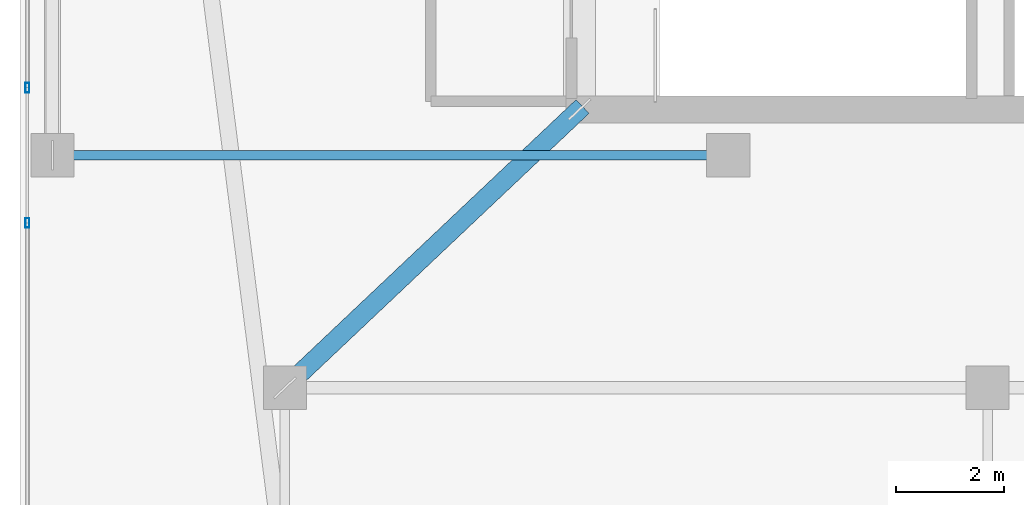
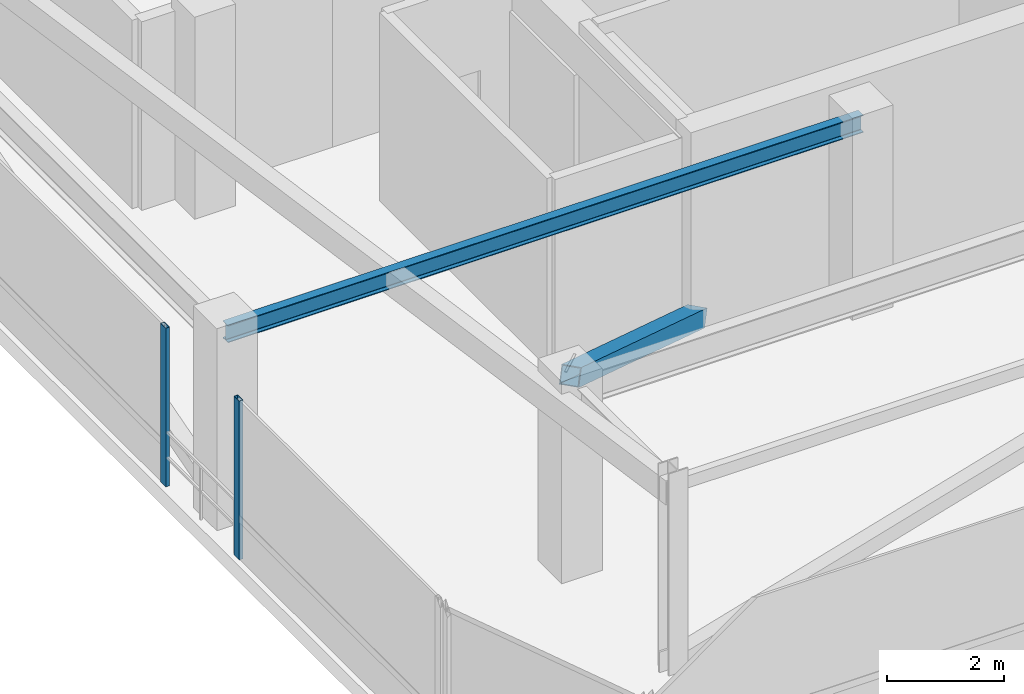
# One storey, part 7 of 47: 3 members, 1 beam, 2 elements without a shape of their own.
"""IFC4 building model written with IfcOpenShell, lengths in metres."""

from ifc_helpers import new_model, si_unit, direction, frame, origin, origin_2d, place, context, subcontext, project, spatial, hollow_rectangle, i_section, extrude, material, material_profile, profile_set, type_object, element, aggregate, save


model = new_model("IFC4")

# Units and contexts
model_context = context("Model", 3, precision=1e-05, world=origin(), true_north=direction((0.0, 1.0)))
body_context = subcontext(model_context, "Body", "Model", "MODEL_VIEW")
ifc_project = project(units=[si_unit("LENGTHUNIT", "METRE"), si_unit("AREAUNIT", "SQUARE_METRE"), si_unit("VOLUMEUNIT", "CUBIC_METRE"), si_unit("PLANEANGLEUNIT", "RADIAN"), si_unit("MASSUNIT", "GRAM", prefix="KILO")], contexts=[model_context])

# Site, building, storey
site_placement = place(None, origin())
site = spatial("IfcSite", under=ifc_project, at=site_placement, CompositionType="ELEMENT")
building_placement = place(site_placement, origin())
building = spatial("IfcBuilding", under=site, at=building_placement, Name="Thornwick Lancets Civic Towers", CompositionType="ELEMENT")
storey_placement = place(building_placement, frame((0.0, 0.0, 279.89990234375)))
storey = spatial("IfcBuildingStorey", under=building, at=storey_placement, Name="C01", CompositionType="ELEMENT", Elevation=279.89990234375)

# Beam
ifc_material_1 = material(Name="Steel S355JR", Category="steel")
ifc_material_profile_1 = material_profile(ifc_material_1, i_section(OverallWidth=0.173095703125, OverallDepth=0.36328125, WebThickness=0.009033203125, FlangeThickness=0.015625, FilletRadius=0.01025390625, at=origin_2d()), Name="UKB 356x171x67")
ifc_profile_set_1 = profile_set([ifc_material_profile_1], Name="Steel S355JR")
beam_type = type_object("IfcBeamType", Name="BM_JOIST_356_67", PredefinedType="JOIST", material=ifc_profile_set_1)
beam_placement = place(storey_placement, frame((20.699951171875, 14.0, 3.75830078125), z_axis=(-1.0, 0.0, 0.0), x_axis=(0.0, -1.0, 0.0)))
element("IfcBeam", 1, at=beam_placement, inside=storey, type_object=beam_type, Name="BM-RADIN-C01-A10", PredefinedType="JOIST", context=body_context, shape_type="SweptSolid", body=[
    extrude(i_section(OverallWidth=0.173095703125, OverallDepth=0.36328125, WebThickness=0.009033203125, FlangeThickness=0.015625, FilletRadius=0.01025390625, at=origin_2d()), origin(), (0.0, 0.0, 1.0), 12.5),
])

# Curtain wall, member
ifc_material_2 = material(Name="Crown ring acoustic-louvre and glazing screen wall", Category="glass")
curtain_wall_type = type_object("IfcCurtainWallType", Name="CW_SYS_07", PredefinedType="NOTDEFINED", material=ifc_material_2)
curtain_wall_1_placement = place(storey_placement, origin())
curtain_wall_1 = element("IfcCurtainWall", 2, at=curtain_wall_1_placement, inside=storey, type_object=curtain_wall_type, Name="C01 Curtain Wall CW-C01-A-E6-S2", PredefinedType="NOTDEFINED")
ifc_material_3 = material(Name="Thermally broken bronze aluminium S355", Category="steel")
ifc_material_profile_2 = material_profile(ifc_material_3, hollow_rectangle(XDim=0.074951171875, YDim=0.179931640625, WallThickness=0.006103515625, at=origin_2d()), Name="RHS 180x75x6")
ifc_profile_set_2 = profile_set([ifc_material_profile_2], Name="Thermally broken bronze aluminium S355")
member_type_1 = type_object("IfcMemberType", Name="CW_MUL_180", PredefinedType="MULLION", material=ifc_profile_set_2)
member_1_placement = place(storey_placement, frame((7.7353515625, 15.25, 0.0), z_axis=(0.0, 0.0, 1.0), x_axis=(1.0, 0.0, 0.0)))
member_1 = element("IfcMember", 3, at=member_1_placement, type_object=member_type_1, Name="CW-C01-A-E6-S2 Mullion 1", PredefinedType="MULLION", context=body_context, shape_type="SweptSolid", body=[
    extrude(hollow_rectangle(XDim=0.074951171875, YDim=0.179931640625, WallThickness=0.006103515625, at=origin_2d()), origin(), (0.0, 0.0, 1.0), 3.300048828125),
])
aggregate(curtain_wall_1, [member_1])

curtain_wall_2_placement = place(storey_placement, origin())
curtain_wall_2 = element("IfcCurtainWall", 4, at=curtain_wall_2_placement, inside=storey, type_object=curtain_wall_type, Name="C01 Curtain Wall CW-C01-A-E6-S3", PredefinedType="NOTDEFINED")
member_2_placement = place(storey_placement, frame((7.7353515625, 12.75, 0.0), z_axis=(0.0, 0.0, 1.0), x_axis=(1.0, 0.0, 0.0)))
member_2 = element("IfcMember", 5, at=member_2_placement, type_object=member_type_1, Name="CW-C01-A-E6-S3 Mullion 0", PredefinedType="MULLION", context=body_context, shape_type="SweptSolid", body=[
    extrude(hollow_rectangle(XDim=0.074951171875, YDim=0.179931640625, WallThickness=0.006103515625, at=origin_2d()), origin(), (0.0, 0.0, 1.0), 3.300048828125),
])
aggregate(curtain_wall_2, [member_2])

# Member
ifc_material_4 = material(Name="Steel S460M", Category="steel")
ifc_material_profile_3 = material_profile(ifc_material_4, hollow_rectangle(XDim=0.35009765625, YDim=0.35009765625, WallThickness=0.01611328125, at=origin_2d()), Name="SHS 350x350x16")
ifc_profile_set_3 = profile_set([ifc_material_profile_3], Name="Steel S460M")
member_type_2 = type_object("IfcMemberType", Name="MEM_OUTRIG_SHS350", PredefinedType="BRACE", material=ifc_profile_set_3)
member_3_placement = place(storey_placement, frame((17.949951171875, 14.85009765625, 0.150146484375), z_axis=(-0.648664116628, -0.612980761558, 0.451098048942), x_axis=(0.686832880872, -0.726815378038, 0.0)))
element("IfcMember", 6, at=member_3_placement, inside=storey, type_object=member_type_2, Name="C01 Outrigger Brace A-2", PredefinedType="BRACE", context=body_context, shape_type="SweptSolid", body=[
    extrude(hollow_rectangle(XDim=0.35009765625, YDim=0.35009765625, WallThickness=0.01611328125, at=origin_2d()), origin(), (0.0, 0.0, 1.0), 8.40185546875),
])

save(model, "model.ifc")
